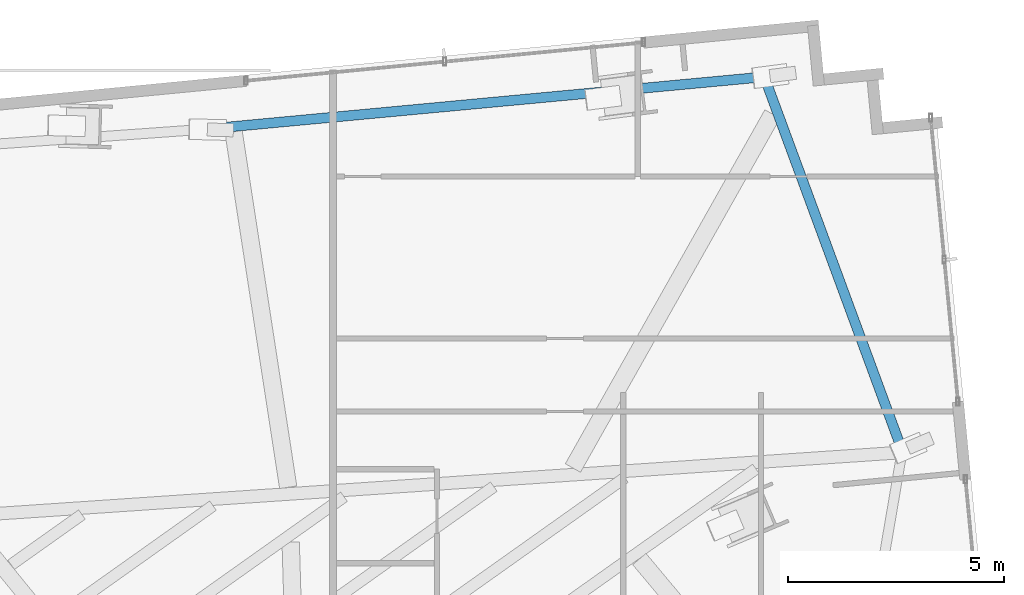
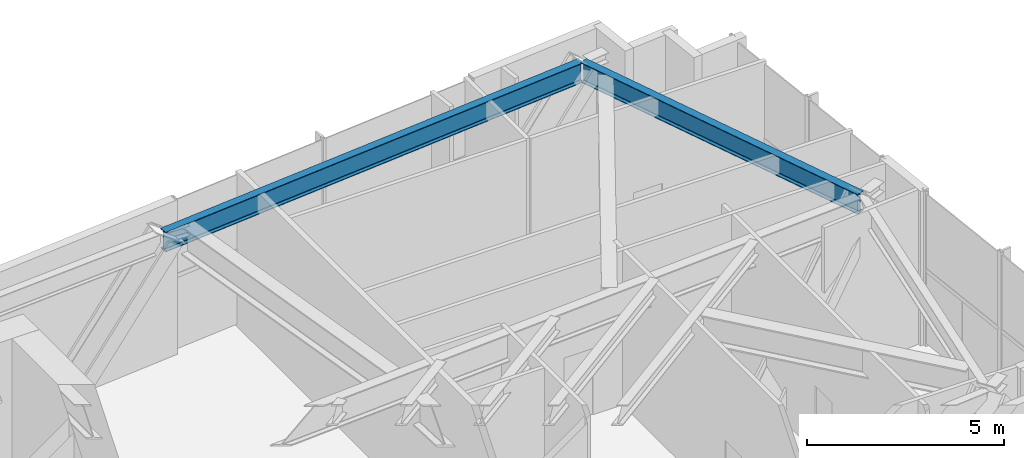
# One storey, part 17 of 28: 2 beams.
"""IFC4 building model written with IfcOpenShell, lengths in metres."""

from ifc_helpers import new_model, si_unit, direction, frame, origin, origin_2d, place, context, subcontext, project, spatial, i_section, extrude, source, transform, mapped, material, material_profile, profile_set, type_object, type_shapes, element, save


model = new_model("IFC4")

# Units and contexts
model_context = context("Model", 3, precision=1e-05, world=origin(), true_north=direction((0.0, 1.0)))
body_context = subcontext(model_context, "Body", "Model", "MODEL_VIEW")
ifc_project = project(units=[si_unit("LENGTHUNIT", "METRE"), si_unit("AREAUNIT", "SQUARE_METRE"), si_unit("VOLUMEUNIT", "CUBIC_METRE"), si_unit("PLANEANGLEUNIT", "RADIAN"), si_unit("MASSUNIT", "GRAM", prefix="KILO")], contexts=[model_context])

# Site, building, storey
site_placement = place(None, origin())
site = spatial("IfcSite", under=ifc_project, at=site_placement, CompositionType="ELEMENT")
building_placement = place(site_placement, origin())
building = spatial("IfcBuilding", under=site, at=building_placement, Name="Astriad Promenade Condominiums", CompositionType="ELEMENT")
storey_placement = place(building_placement, frame((0.0, 0.0, 72.60009765625)))
storey = spatial("IfcBuildingStorey", under=building, at=storey_placement, Name="L20", CompositionType="ELEMENT", Elevation=72.60009765625)

# Beams
ifc_material = material(Name="Steel ASTM A992 Grade 50", Category="steel")
ifc_material_profile = material_profile(ifc_material, i_section(OverallWidth=0.22900390625, OverallDepth=0.612060546875, WebThickness=0.011962890625, FlangeThickness=0.01953125, FilletRadius=0.017822265625, at=origin_2d()), Name="W24X84")
ifc_profile_set = profile_set([ifc_material_profile], Name="Steel ASTM A992 Grade 50")
beam_type = type_object("IfcBeamType", Name="STEEL SPANDREL BEAM W24X84", PredefinedType="SPANDREL", material=ifc_profile_set)
shared_shape_1 = source(origin(), body_context, "Body", "SweptSolid", [
    extrude(i_section(OverallWidth=0.22900390625, OverallDepth=0.612060546875, WebThickness=0.011962890625, FlangeThickness=0.01953125, FilletRadius=0.017822265625, at=origin_2d()), origin(), (0.0, 0.0, 1.0), 12.9736328125),
])
beam_1_placement = place(storey_placement, frame((64.130615234375, 27.552490234375, 4.473876953125), z_axis=(-0.995655568628, -0.093112773887, 0.0), x_axis=(0.093112773887, -0.995655568628, 0.0)))
element("IfcBeam", 1, at=beam_1_placement, inside=storey, type_object=beam_type, Name="Perimeter Spandrel Beam SP-N4-L20", PredefinedType="SPANDREL", context=body_context, shape_type="MappedRepresentation", body=[
    mapped(shared_shape_1, transform((0.0, 0.0, 0.0), scale=1.0)),
])
shared_shape_2 = source(origin(), body_context, "Body", "SweptSolid", [
    extrude(i_section(OverallWidth=0.22900390625, OverallDepth=0.612060546875, WebThickness=0.011962890625, FlangeThickness=0.01953125, FilletRadius=0.017822265625, at=origin_2d()), origin(), (0.0, 0.0, 1.0), 9.12939453125),
])
type_shapes(beam_type, [shared_shape_1, shared_shape_2])
beam_2_placement = place(storey_placement, frame((67.34423828125, 18.953857421875, 4.473876953125), z_axis=(-0.346153939791, 0.938177728348, 0.0), x_axis=(-0.938177728348, -0.346153939791, 0.0)))
element("IfcBeam", 2, at=beam_2_placement, inside=storey, type_object=beam_type, Name="Perimeter Spandrel Beam SP-E2-L20", PredefinedType="SPANDREL", context=body_context, shape_type="MappedRepresentation", body=[
    mapped(shared_shape_2, transform((0.0, 0.0, 0.0), scale=1.0)),
])

save(model, "model.ifc")
